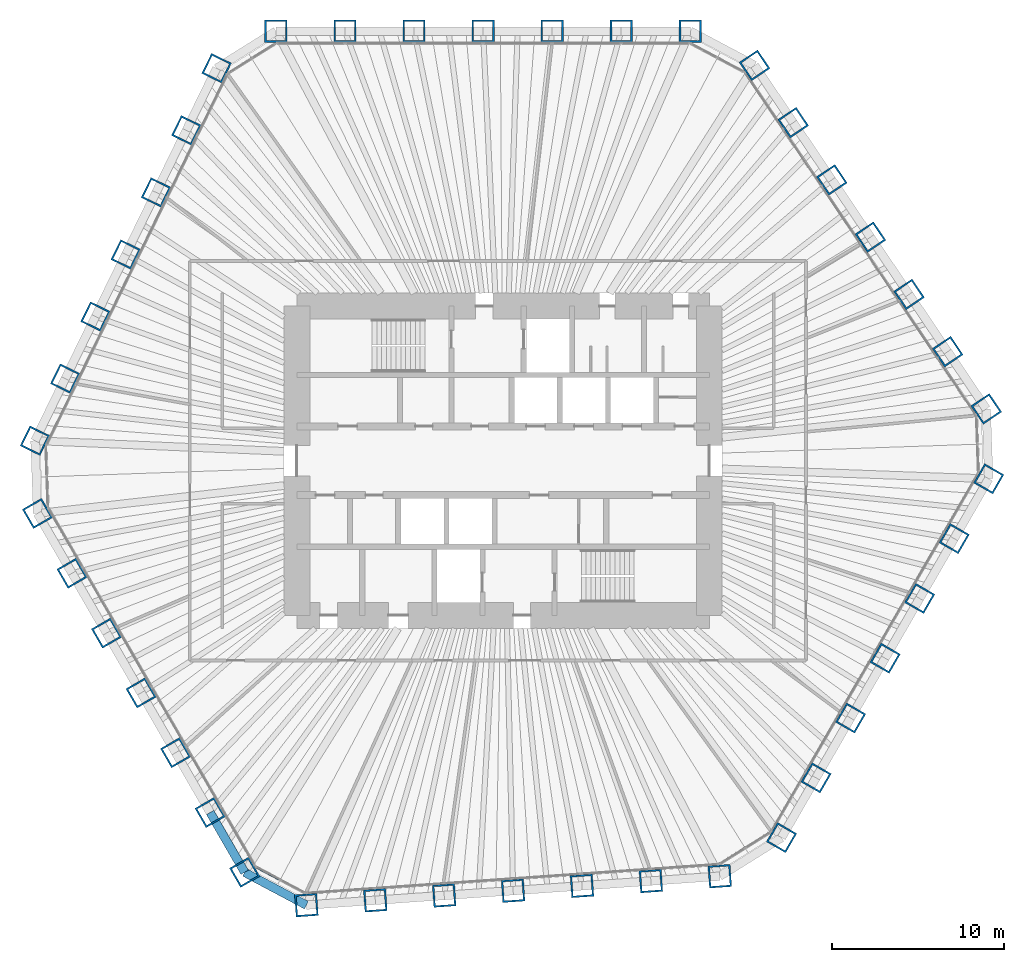
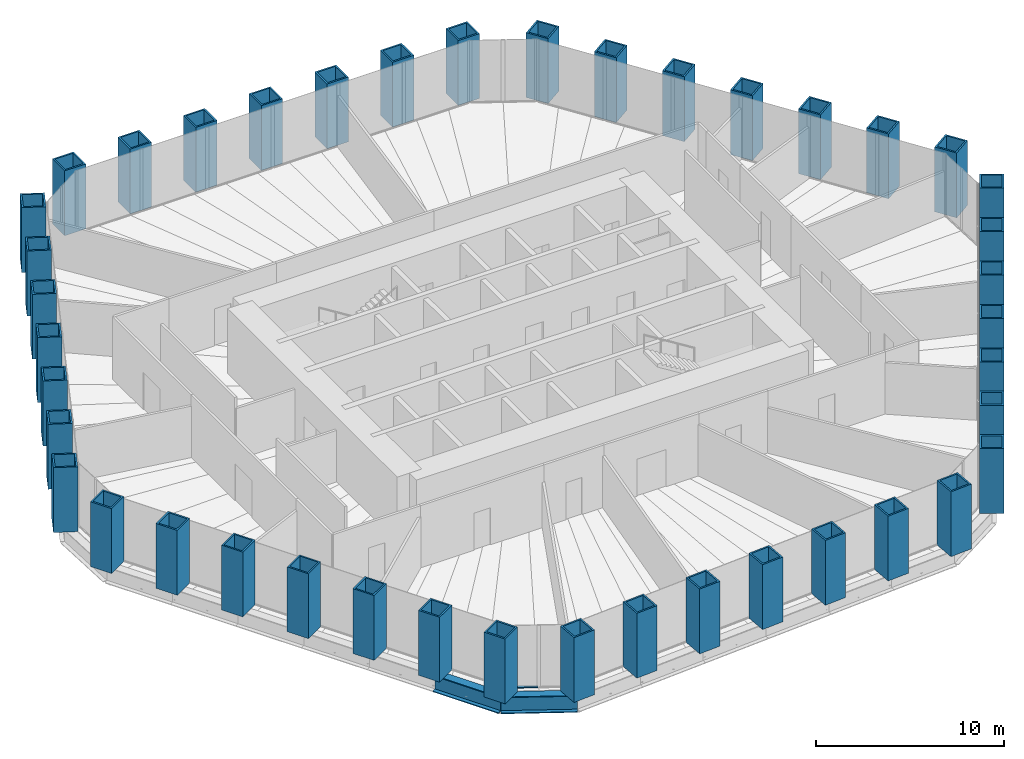
# One storey, part 1 of 13: 42 columns, 2 beams, 1 member, 1 element without a shape of its own.
"""IFC4 building model written with IfcOpenShell, lengths in metres."""

from ifc_helpers import new_model, si_unit, direction, frame, origin, origin_2d, place, context, subcontext, project, spatial, rectangle, hollow_rectangle, i_section, extrude, material, material_profile, profile_set, type_object, element, aggregate, save


model = new_model("IFC4")

# Units and contexts
model_context = context("Model", 3, precision=1e-05, world=origin(), true_north=direction((0.0, 1.0)))
body_context = subcontext(model_context, "Body", "Model", "MODEL_VIEW")
ifc_project = project(units=[si_unit("LENGTHUNIT", "METRE"), si_unit("AREAUNIT", "SQUARE_METRE"), si_unit("VOLUMEUNIT", "CUBIC_METRE"), si_unit("PLANEANGLEUNIT", "RADIAN"), si_unit("MASSUNIT", "GRAM", prefix="KILO")], contexts=[model_context])

# Site, building, storey
site_placement = place(None, origin())
site = spatial("IfcSite", under=ifc_project, at=site_placement, CompositionType="ELEMENT")
building_placement = place(site_placement, origin())
building = spatial("IfcBuilding", under=site, at=building_placement, Name="Qingtian Harvest Tower", CompositionType="ELEMENT")
storey_placement = place(building_placement, frame((0.0, 0.0, 128.199951171875)))
storey = spatial("IfcBuildingStorey", under=building, at=storey_placement, Name="L26", CompositionType="ELEMENT", Elevation=128.199951171875)

# Columns
ifc_material_1 = material(Name="Steel SM570MC", Category="steel")
ifc_material_profile_1 = material_profile(ifc_material_1, hollow_rectangle(XDim=1.300048828125, YDim=1.300048828125, WallThickness=0.10009765625, at=origin_2d()), Name="BOX1300x1300x100")
ifc_profile_set_1 = profile_set([ifc_material_profile_1], Name="Steel SM570MC")
column_type = type_object("IfcColumnType", Name="Tube column TC3 BOX1300x1300x100", PredefinedType="COLUMN", material=ifc_profile_set_1)
for number, where, z_axis, x_axis, name in (
    (1, (-13.2216796875, 25.0, 0.0), (0.0, 0.0, 1.0), (-1.0, 0.0, 0.0), "Tube column TC3 N0"),
    (2, (-9.20263671875, 25.0, 0.0), (0.0, 0.0, 1.0), (-1.0, 0.0, 0.0), "Tube column TC3 N1"),
    (3, (-5.18359375, 25.0, 0.0), (0.0, 0.0, 1.0), (-1.0, 0.0, 0.0), "Tube column TC3 N2"),
    (4, (-1.16455078125, 25.0, 0.0), (0.0, 0.0, 1.0), (-1.0, 0.0, 0.0), "Tube column TC3 N3"),
    (5, (2.8544921875, 25.0, 0.0), (0.0, 0.0, 1.0), (-1.0, 0.0, 0.0), "Tube column TC3 N4"),
    (6, (6.873779296875, 25.0, 0.0), (0.0, 0.0, 1.0), (-1.0, 0.0, 0.0), "Tube column TC3 N5"),
    (7, (10.892822265625, 25.0, 0.0), (0.0, 0.0, 1.0), (-1.0, 0.0, 0.0), "Tube column TC3 N6"),
    (8, (14.634765625, 23.01025390625, 0.0), (0.0, 0.0, 1.0), (-0.559192903471, 0.829037572555, 0.0), "Tube column TC3 NE0"),
    (9, (16.88232421875, 19.67822265625, 0.0), (0.0, 0.0, 1.0), (-0.559192903471, 0.829037572555, 0.0), "Tube column TC3 NE1"),
    (10, (19.129638671875, 16.346435546875, 0.0), (0.0, 0.0, 1.0), (-0.559192903471, 0.829037572555, 0.0), "Tube column TC3 NE2"),
    (11, (21.377197265625, 13.014404296875, 0.0), (0.0, 0.0, 1.0), (-0.559192903471, 0.829037572555, 0.0), "Tube column TC3 NE3"),
    (12, (23.62451171875, 9.682373046875, 0.0), (0.0, 0.0, 1.0), (-0.559192903471, 0.829037572555, 0.0), "Tube column TC3 NE4"),
    (13, (25.8720703125, 6.3505859375, 0.0), (0.0, 0.0, 1.0), (-0.559192903471, 0.829037572555, 0.0), "Tube column TC3 NE5"),
    (14, (28.119384765625, 3.0185546875, 0.0), (0.0, 0.0, 1.0), (-0.559192903471, 0.829037572555, 0.0), "Tube column TC3 NE6"),
    (15, (28.261474609375, -1.049560546875, 0.0), (0.0, 0.0, 1.0), (0.5, 0.866025403784, 0.0), "Tube column TC3 SE0"),
    (16, (26.251953125, -4.5302734375, 0.0), (0.0, 0.0, 1.0), (0.5, 0.866025403784, 0.0), "Tube column TC3 SE1"),
    (17, (24.242431640625, -8.010986328125, 0.0), (0.0, 0.0, 1.0), (0.5, 0.866025403784, 0.0), "Tube column TC3 SE2"),
    (18, (22.23291015625, -11.491455078125, 0.0), (0.0, 0.0, 1.0), (0.5, 0.866025403784, 0.0), "Tube column TC3 SE3"),
    (19, (20.223388671875, -14.97216796875, 0.0), (0.0, 0.0, 1.0), (0.5, 0.866025403784, 0.0), "Tube column TC3 SE4"),
    (20, (18.2138671875, -18.452880859375, 0.0), (0.0, 0.0, 1.0), (0.5, 0.866025403784, 0.0), "Tube column TC3 SE5"),
    (21, (16.204345703125, -21.933349609375, 0.0), (0.0, 0.0, 1.0), (0.5, 0.866025403784, 0.0), "Tube column TC3 SE6"),
    (22, (12.610107421875, -24.17919921875, 0.0), (0.0, 0.0, 1.0), (0.99756405026, 0.069756473744, 0.0), "Tube column TC3 S0"),
    (23, (8.600830078125, -24.459716796875, 0.0), (0.0, 0.0, 1.0), (0.99756405026, 0.069756473744, 0.0), "Tube column TC3 S1"),
    (24, (4.591552734375, -24.739990234375, 0.0), (0.0, 0.0, 1.0), (0.99756405026, 0.069756473744, 0.0), "Tube column TC3 S2"),
    (25, (0.582275390625, -25.020263671875, 0.0), (0.0, 0.0, 1.0), (0.99756405026, 0.069756473744, 0.0), "Tube column TC3 S3"),
    (26, (-3.427001953125, -25.30078125, 0.0), (0.0, 0.0, 1.0), (0.99756405026, 0.069756473744, 0.0), "Tube column TC3 S4"),
    (27, (-7.436279296875, -25.5810546875, 0.0), (0.0, 0.0, 1.0), (0.99756405026, 0.069756473744, 0.0), "Tube column TC3 S5"),
    (28, (-11.445556640625, -25.861328125, 0.0), (0.0, 0.0, 1.0), (0.99756405026, 0.069756473744, 0.0), "Tube column TC3 S6"),
    (29, (-15.039794921875, -23.950439453125, 0.0), (0.0, 0.0, 1.0), (0.5, -0.866025403784, 0.0), "Tube column TC3 SW0"),
    (30, (-17.04931640625, -20.4697265625, 0.0), (0.0, 0.0, 1.0), (0.5, -0.866025403784, 0.0), "Tube column TC3 SW1"),
    (31, (-19.058837890625, -16.989013671875, 0.0), (0.0, 0.0, 1.0), (0.5, -0.866025403784, 0.0), "Tube column TC3 SW2"),
    (32, (-21.068359375, -13.508544921875, 0.0), (0.0, 0.0, 1.0), (0.5, -0.866025403784, 0.0), "Tube column TC3 SW3"),
    (33, (-23.077880859375, -10.02783203125, 0.0), (0.0, 0.0, 1.0), (0.5, -0.866025403784, 0.0), "Tube column TC3 SW4"),
    (34, (-25.08740234375, -6.547119140625, 0.0), (0.0, 0.0, 1.0), (0.5, -0.866025403784, 0.0), "Tube column TC3 SW5"),
    (35, (-27.096923828125, -3.066650390625, 0.0), (0.0, 0.0, 1.0), (0.5, -0.866025403784, 0.0), "Tube column TC3 SW6"),
    (36, (-27.244873046875, 1.1689453125, 0.0), (0.0, 0.0, 1.0), (-0.438371146789, -0.898794046299, 0.0), "Tube column TC3 NW0"),
    (37, (-25.483154296875, 4.78125, 0.0), (0.0, 0.0, 1.0), (-0.438371146789, -0.898794046299, 0.0), "Tube column TC3 NW1"),
    (38, (-23.72119140625, 8.3935546875, 0.0), (0.0, 0.0, 1.0), (-0.438371146789, -0.898794046299, 0.0), "Tube column TC3 NW2"),
    (39, (-21.95947265625, 12.005859375, 0.0), (0.0, 0.0, 1.0), (-0.438371146789, -0.898794046299, 0.0), "Tube column TC3 NW3"),
    (40, (-20.197509765625, 15.6181640625, 0.0), (0.0, 0.0, 1.0), (-0.438371146789, -0.898794046299, 0.0), "Tube column TC3 NW4"),
    (41, (-18.435791015625, 19.23046875, 0.0), (0.0, 0.0, 1.0), (-0.438371146789, -0.898794046299, 0.0), "Tube column TC3 NW5"),
    (42, (-16.673828125, 22.8427734375, 0.0), (0.0, 0.0, 1.0), (-0.438371146789, -0.898794046299, 0.0), "Tube column TC3 NW6"),
):
    element("IfcColumn", number, at=place(storey_placement, frame(where, z_axis=z_axis, x_axis=x_axis)), inside=storey, type_object=column_type, Name=name, PredefinedType="COLUMN", context=body_context, shape_type="SweptSolid", body=[
        extrude(hollow_rectangle(XDim=1.300048828125, YDim=1.300048828125, WallThickness=0.10009765625, at=origin_2d()), origin(), (0.0, 0.0, 1.0), 4.199951171875),
    ])

# Beams
ifc_material_2 = material(Name="Steel SM570MC", Category="steel")
ifc_material_profile_2 = material_profile(ifc_material_2, i_section(OverallWidth=0.5, OverallDepth=1.10009765625, WebThickness=0.02490234375, FlangeThickness=0.050048828125, at=origin_2d()), Name="H1100x500x25x50")
ifc_profile_set_2 = profile_set([ifc_material_profile_2], Name="Steel SM570MC")
beam_type = type_object("IfcBeamType", Name="Spandrel beam SB2 H1100x500x25x50", PredefinedType="SPANDREL", material=ifc_profile_set_2)
beam_1_placement = place(storey_placement, frame((-11.445556640625, -25.861328125, -0.550048828125), z_axis=(-0.882968133669, 0.469432929101, 0.0), x_axis=(-0.469432929101, -0.882968133669, 0.0)))
element("IfcBeam", 43, at=beam_1_placement, inside=storey, type_object=beam_type, Name="Spandrel SB2 SC", PredefinedType="SPANDREL", context=body_context, shape_type="SweptSolid", body=[
    extrude(i_section(OverallWidth=0.5, OverallDepth=1.10009765625, WebThickness=0.02490234375, FlangeThickness=0.050048828125, at=origin_2d()), origin(), (0.0, 0.0, 1.0), 4.070556640625),
])
beam_2_placement = place(storey_placement, frame((-15.039794921875, -23.950439453125, -0.550048828125), z_axis=(-0.499987116613, 0.866032841884, 0.0), x_axis=(-0.866032841884, -0.499987116613, 0.0)))
element("IfcBeam", 44, at=beam_2_placement, inside=storey, type_object=beam_type, Name="Spandrel SB2 SW0", PredefinedType="SPANDREL", context=body_context, shape_type="SweptSolid", body=[
    extrude(i_section(OverallWidth=0.5, OverallDepth=1.10009765625, WebThickness=0.02490234375, FlangeThickness=0.050048828125, at=origin_2d()), origin(), (0.0, 0.0, 1.0), 4.01904296875),
])

# Curtain wall, member
ifc_material_3 = material(Name="Bronze-anodised aluminium curtain wall", Category="aluminium")
curtain_wall_type = type_object("IfcCurtainWallType", Name="Curtain wall CW4 office", PredefinedType="USERDEFINED", material=ifc_material_3)
curtain_wall_placement = place(storey_placement, origin())
curtain_wall = element("IfcCurtainWall", 45, at=curtain_wall_placement, inside=storey, type_object=curtain_wall_type, Name="Curtain wall CW4 L26 SC", ObjectType="RECESSED CURTAIN WALL", PredefinedType="USERDEFINED")
ifc_material_4 = material(Name="Bronze-anodised aluminium transom", Category="aluminium")
ifc_material_profile_3 = material_profile(ifc_material_4, rectangle(XDim=0.14990234375, YDim=0.06494140625, at=origin_2d()), Name="AL 65x150")
ifc_profile_set_3 = profile_set([ifc_material_profile_3], Name="Bronze-anodised aluminium transom")
member_type = type_object("IfcMemberType", Name="Transom CWT 65x150", PredefinedType="USERDEFINED", material=ifc_profile_set_3)
member_placement = place(storey_placement, frame((-12.99267578125, -24.366455078125, 0.032470703125), z_axis=(-0.882960338349, 0.46944759122, 0.0), x_axis=(-0.46944759122, -0.882960338349, 0.0)))
member = element("IfcMember", 46, at=member_placement, type_object=member_type, Name="CW4 transom 2.1", ObjectType="TRANSOM", PredefinedType="USERDEFINED", context=body_context, shape_type="SweptSolid", body=[
    extrude(rectangle(XDim=0.14990234375, YDim=0.06494140625, at=origin_2d()), origin(), (0.0, 0.0, 1.0), 1.56689453125),
])
aggregate(curtain_wall, [member])

save(model, "model.ifc")
